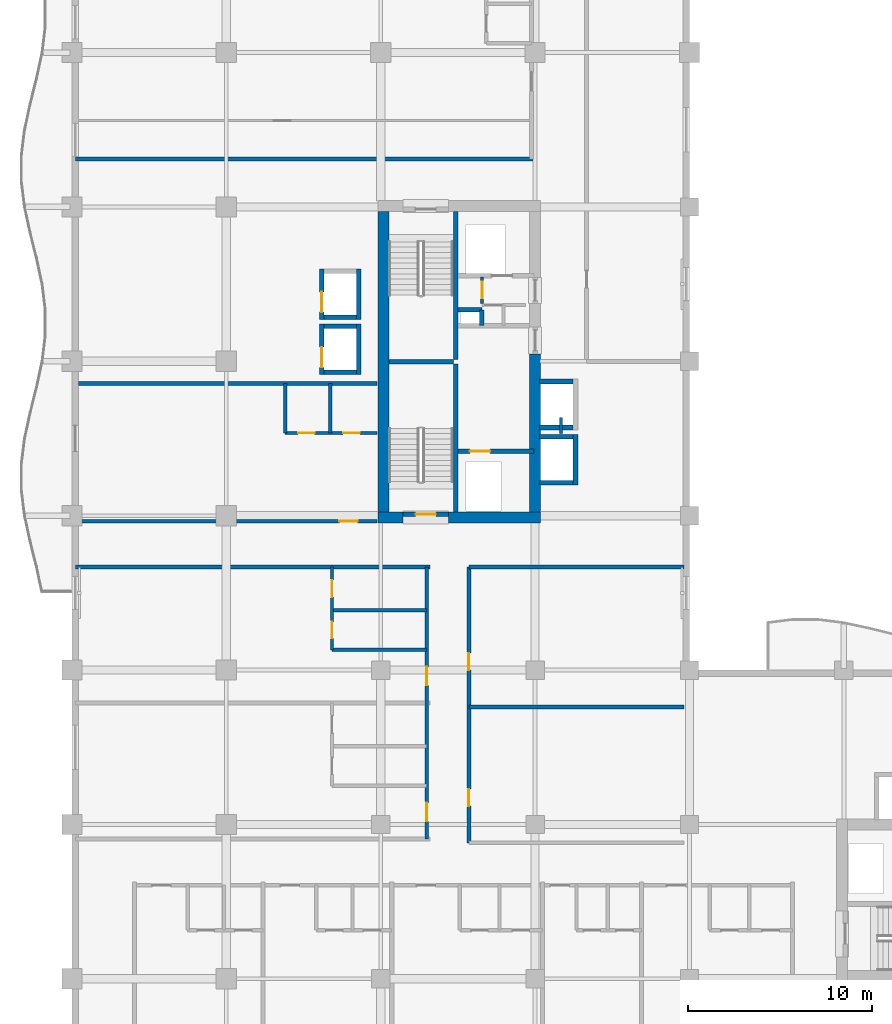
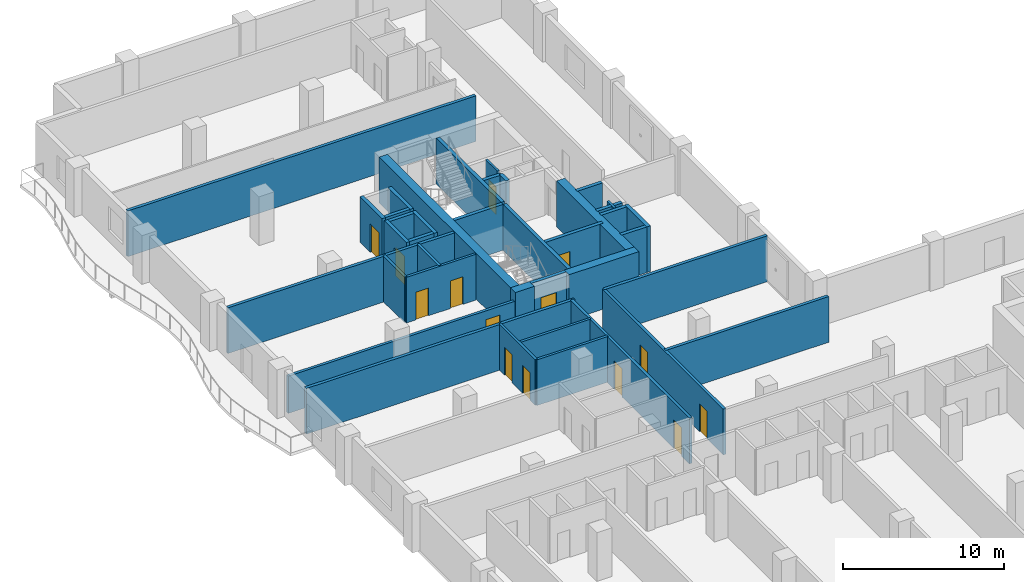
# One storey, part 7 of 15: 39 walls, 14 doors, 14 openings.
"""IFC4 building model written with IfcOpenShell, lengths in metres."""

from ifc_helpers import new_model, si_unit, direction, frame, frame_2d, origin, place, context, subcontext, project, spatial, rectangle, extrude, material, layer, layer_set, type_object, element, fill, save


model = new_model("IFC4")

# Units and contexts
model_context = context("Model", 3, precision=1e-05, world=origin(), true_north=direction((0.0, 1.0)))
body_context = subcontext(model_context, "Body", "Model", "MODEL_VIEW")
ifc_project = project(units=[si_unit("LENGTHUNIT", "METRE"), si_unit("AREAUNIT", "SQUARE_METRE"), si_unit("VOLUMEUNIT", "CUBIC_METRE"), si_unit("PLANEANGLEUNIT", "RADIAN"), si_unit("MASSUNIT", "GRAM", prefix="KILO")], contexts=[model_context])

# Site, building, storey
site_placement = place(None, origin())
site = spatial("IfcSite", under=ifc_project, at=site_placement, CompositionType="ELEMENT")
building_placement = place(site_placement, origin())
building = spatial("IfcBuilding", under=site, at=building_placement, Name="Koriwani Terraces Tower", CompositionType="ELEMENT")
storey_placement = place(building_placement, frame((0.0, 0.0, 193.89990234375)))
storey = spatial("IfcBuildingStorey", under=building, at=storey_placement, Name="L47", CompositionType="ELEMENT", Elevation=193.89990234375)

# Walls
ifc_material_1 = material(Name="Concrete C60/75", Category="concrete")
ifc_layer_1 = layer(ifc_material_1, 0.60009765625, Name="Concrete C60/75")
ifc_layer_set_1 = layer_set([ifc_layer_1], Name="Concrete C60/75")
wall_type_1 = type_object("IfcWallType", Name="WALL_CORE_RC_600", PredefinedType="SHEAR", material=ifc_layer_set_1)
wall_1_placement = place(storey_placement, frame((16.64990234375, 41.89990234375, 0.0), z_axis=(0.0, 0.0, 1.0), x_axis=(1.0, 0.0, 0.0)))
element("IfcWall", 1, at=wall_1_placement, inside=storey, type_object=wall_type_1, Name="L47 West Split Core Shear Wall S1", PredefinedType="SHEAR", context=body_context, shape_type="SweptSolid", body=[
    extrude(rectangle(XDim=1.35009765625, YDim=0.60009765625, at=frame_2d((0.675048828125, 0.0))), origin(), (0.0, 0.0, 1.0), 3.47021484375),
])
wall_2_placement = place(storey_placement, frame((20.5, 41.89990234375, 0.0), z_axis=(0.0, 0.0, 1.0), x_axis=(1.0, 0.0, 0.0)))
element("IfcWall", 2, at=wall_2_placement, inside=storey, type_object=wall_type_1, Name="L47 West Split Core Shear Wall S2", PredefinedType="SHEAR", context=body_context, shape_type="SweptSolid", body=[
    extrude(rectangle(XDim=5.0, YDim=0.60009765625, at=frame_2d((2.5, 0.0))), origin(), (0.0, 0.0, 1.0), 3.47021484375),
])
wall_3_placement = place(storey_placement, frame((16.949951171875, 42.199951171875, 0.0), z_axis=(0.0, 0.0, 1.0), x_axis=(0.0, 1.0, 0.0)))
element("IfcWall", 3, at=wall_3_placement, inside=storey, type_object=wall_type_1, Name="L47 West Split Core Shear Wall W1", PredefinedType="SHEAR", context=body_context, shape_type="SweptSolid", body=[
    extrude(rectangle(XDim=16.35009765625, YDim=0.60009765625, at=frame_2d((8.175048828125, 0.0))), origin(), (0.0, 0.0, 1.0), 3.47021484375),
])
wall_4_placement = place(storey_placement, frame((25.199951171875, 42.199951171875, 0.0), z_axis=(0.0, 0.0, 1.0), x_axis=(0.0, 1.0, 0.0)))
element("IfcWall", 4, at=wall_4_placement, inside=storey, type_object=wall_type_1, Name="L47 West Split Core Shear Wall E1", PredefinedType="SHEAR", context=body_context, shape_type="SweptSolid", body=[
    extrude(rectangle(XDim=8.60009765625, YDim=0.60009765625, at=frame_2d((4.300048828125, 0.0))), origin(), (0.0, 0.0, 1.0), 3.47021484375),
])

# Wall, opening, door
ifc_material_2 = material(Name="Autoclaved Cellular Concrete Blockwork", Category="masonry")
ifc_layer_2 = layer(ifc_material_2, 0.199951171875, Name="Autoclaved Cellular Concrete Blockwork")
ifc_layer_set_2 = layer_set([ifc_layer_2], Name="Autoclaved Cellular Concrete Blockwork")
wall_type_2 = type_object("IfcWallType", Name="WALL_CORRIDOR_200", PredefinedType="PARTITIONING", material=ifc_layer_set_2)
wall_5_placement = place(storey_placement, frame((0.35009765625, 41.699951171875, 0.0), z_axis=(0.0, 0.0, 1.0), x_axis=(1.0, 0.0, 0.0)))
wall_5 = element("IfcWall", 5, at=wall_5_placement, inside=storey, type_object=wall_type_2, Name="L47 Interior Wall WREC-WS-L47", PredefinedType="PARTITIONING", context=body_context, shape_type="SweptSolid", body=[
    extrude(rectangle(XDim=16.25, YDim=0.199951171875, at=frame_2d((8.125, 0.0))), origin(), (0.0, 0.0, 1.0), 2.820068359375),
])
opening_1_placement = place(wall_5_placement, frame((14.199951171875, 0.0, 0.0)))
opening_1 = element("IfcOpeningElement", 6, at=opening_1_placement, cuts=wall_5, Name="Opening D-05", PredefinedType="OPENING", context=body_context, shape_type="SweptSolid", body=[
    extrude(rectangle(XDim=1.0, YDim=2.14990234375, at=frame_2d((0.5, 1.074951171875))), frame((0.0, 0.10986328125, 0.0), z_axis=(0.0, -1.0, 0.0), x_axis=(1.0, 0.0, 0.0)), (0.0, 0.0, 1.0), 0.219970703125),
])
ifc_material_3 = material(Name="Architectural Oak Fire Door", Category="wood")
door_type_1 = type_object("IfcDoorType", Name="DOOR_SUITE_ENTRY_1000X2150", OperationType="NOTDEFINED", PredefinedType="DOOR", material=ifc_material_3)
door_1_placement = place(opening_1_placement, origin())
door_1 = element("IfcDoor", 7, at=door_1_placement, inside=storey, type_object=door_type_1, Name="L47 Reclaimed West Suite Door", OperationType="SINGLE_SWING_LEFT", OverallHeight=2.14990234375, OverallWidth=1.0, PredefinedType="DOOR", context=body_context, shape_type="SweptSolid", body=[
    extrude(rectangle(XDim=1.0, YDim=2.14990234375, at=frame_2d((0.5, 1.074951171875))), frame((0.0, 0.02490234375, 0.0), z_axis=(0.0, -1.0, 0.0), x_axis=(1.0, 0.0, 0.0)), (0.0, 0.0, 1.0), 0.050048828125),
])
fill(opening_1, door_1)

# Wall, openings, doors
wall_6_placement = place(storey_placement, frame((21.60009765625, 24.199951171875, 0.0), z_axis=(0.0, 0.0, 1.0), x_axis=(0.0, 1.0, 0.0)))
wall_6 = element("IfcWall", 8, at=wall_6_placement, inside=storey, type_object=wall_type_2, Name="L47 Interior Wall WIC2-W-L47", PredefinedType="PARTITIONING", context=body_context, shape_type="SweptSolid", body=[
    extrude(rectangle(XDim=15.0, YDim=0.199951171875, at=frame_2d((7.5, 0.0))), origin(), (0.0, 0.0, 1.0), 3.47021484375),
])
opening_2_placement = place(wall_6_placement, frame((2.0, 0.0, 0.0)))
opening_2 = element("IfcOpeningElement", 9, at=opening_2_placement, cuts=wall_6, Name="Opening D-06", PredefinedType="OPENING", context=body_context, shape_type="SweptSolid", body=[
    extrude(rectangle(XDim=0.919921875, YDim=2.10009765625, at=frame_2d((0.4599609375, 1.050048828125))), frame((0.0, 0.10986328125, 0.0), z_axis=(0.0, -1.0, 0.0), x_axis=(1.0, 0.0, 0.0)), (0.0, 0.0, 1.0), 0.219970703125),
])
opening_3_placement = place(wall_6_placement, frame((9.39990234375, 0.0, 0.0)))
opening_3 = element("IfcOpeningElement", 10, at=opening_3_placement, cuts=wall_6, Name="Opening D-06", PredefinedType="OPENING", context=body_context, shape_type="SweptSolid", body=[
    extrude(rectangle(XDim=0.919921875, YDim=2.10009765625, at=frame_2d((0.4599609375, 1.050048828125))), frame((0.0, 0.10986328125, 0.0), z_axis=(0.0, -1.0, 0.0), x_axis=(1.0, 0.0, 0.0)), (0.0, 0.0, 1.0), 0.219970703125),
])
door_type_2 = type_object("IfcDoorType", Name="DOOR_ROOM_INT_920X2100", OperationType="NOTDEFINED", PredefinedType="DOOR", material=ifc_material_3)
door_2_placement = place(opening_2_placement, origin())
door_2 = element("IfcDoor", 11, at=door_2_placement, inside=storey, type_object=door_type_2, Name="L47 Inner Court Salon Door", OperationType="SINGLE_SWING_LEFT", OverallHeight=2.10009765625, OverallWidth=0.919921875, PredefinedType="DOOR", context=body_context, shape_type="SweptSolid", body=[
    extrude(rectangle(XDim=0.919921875, YDim=2.10009765625, at=frame_2d((0.4599609375, 1.050048828125))), frame((0.0, 0.02490234375, 0.0), z_axis=(0.0, -1.0, 0.0), x_axis=(1.0, 0.0, 0.0)), (0.0, 0.0, 1.0), 0.050048828125),
])
fill(opening_2, door_2)
door_3_placement = place(opening_3_placement, origin())
door_3 = element("IfcDoor", 12, at=door_3_placement, inside=storey, type_object=door_type_2, Name="L47 Inner Court Media Room Door", OperationType="SINGLE_SWING_RIGHT", OverallHeight=2.10009765625, OverallWidth=0.919921875, PredefinedType="DOOR", context=body_context, shape_type="SweptSolid", body=[
    extrude(rectangle(XDim=0.919921875, YDim=2.10009765625, at=frame_2d((0.4599609375, 1.050048828125))), frame((0.0, 0.02490234375, 0.0), z_axis=(0.0, -1.0, 0.0), x_axis=(1.0, 0.0, 0.0)), (0.0, 0.0, 1.0), 0.050048828125),
])
fill(opening_3, door_3)

wall_7_placement = place(storey_placement, frame((19.300048828125, 24.39990234375, 0.0), z_axis=(0.0, 0.0, 1.0), x_axis=(0.0, 1.0, 0.0)))
wall_7 = element("IfcWall", 13, at=wall_7_placement, inside=storey, type_object=wall_type_2, Name="L47 Interior Wall WRCOR-L47-NW-0", PredefinedType="PARTITIONING", context=body_context, shape_type="SweptSolid", body=[
    extrude(rectangle(XDim=14.800048828125, YDim=0.199951171875, at=frame_2d((7.39990234375, 0.0))), origin(), (0.0, 0.0, 1.0), 3.47021484375),
])
opening_4_placement = place(wall_7_placement, frame((0.969970703125, 0.0, 0.0)))
opening_4 = element("IfcOpeningElement", 14, at=opening_4_placement, cuts=wall_7, Name="Opening D-05", PredefinedType="OPENING", context=body_context, shape_type="SweptSolid", body=[
    extrude(rectangle(XDim=1.0, YDim=2.14990234375, at=frame_2d((0.5, 1.074951171875))), frame((0.0, 0.10986328125, 0.0), z_axis=(0.0, -1.0, 0.0), x_axis=(1.0, 0.0, 0.0)), (0.0, 0.0, 1.0), 0.219970703125),
])
opening_5_placement = place(wall_7_placement, frame((8.3701171875, 0.0, 0.0)))
opening_5 = element("IfcOpeningElement", 15, at=opening_5_placement, cuts=wall_7, Name="Opening D-05", PredefinedType="OPENING", context=body_context, shape_type="SweptSolid", body=[
    extrude(rectangle(XDim=1.0, YDim=2.14990234375, at=frame_2d((0.5, 1.074951171875))), frame((0.0, 0.10986328125, 0.0), z_axis=(0.0, -1.0, 0.0), x_axis=(1.0, 0.0, 0.0)), (0.0, 0.0, 1.0), 0.219970703125),
])
door_4_placement = place(opening_4_placement, origin())
door_4 = element("IfcDoor", 16, at=door_4_placement, inside=storey, type_object=door_type_1, Name="Apartment 47NW1 Entrance Door", OperationType="SINGLE_SWING_RIGHT", OverallHeight=2.14990234375, OverallWidth=1.0, PredefinedType="DOOR", context=body_context, shape_type="SweptSolid", body=[
    extrude(rectangle(XDim=1.0, YDim=2.14990234375, at=frame_2d((0.5, 1.074951171875))), frame((0.0, 0.02490234375, 0.0), z_axis=(0.0, -1.0, 0.0), x_axis=(1.0, 0.0, 0.0)), (0.0, 0.0, 1.0), 0.050048828125),
])
fill(opening_4, door_4)
door_5_placement = place(opening_5_placement, origin())
door_5 = element("IfcDoor", 17, at=door_5_placement, inside=storey, type_object=door_type_1, Name="Apartment 47NW2 Entrance Door", OperationType="SINGLE_SWING_LEFT", OverallHeight=2.14990234375, OverallWidth=1.0, PredefinedType="DOOR", context=body_context, shape_type="SweptSolid", body=[
    extrude(rectangle(XDim=1.0, YDim=2.14990234375, at=frame_2d((0.5, 1.074951171875))), frame((0.0, 0.02490234375, 0.0), z_axis=(0.0, -1.0, 0.0), x_axis=(1.0, 0.0, 0.0)), (0.0, 0.0, 1.0), 0.050048828125),
])
fill(opening_5, door_5)

# Walls
ifc_layer_3 = layer(ifc_material_2, 0.219970703125, Name="Autoclaved Cellular Concrete Blockwork")
ifc_layer_set_3 = layer_set([ifc_layer_3], Name="Autoclaved Cellular Concrete Blockwork")
wall_type_3 = type_object("IfcWallType", Name="WALL_DEMISING_220", PredefinedType="PARTITIONING", material=ifc_layer_set_3)
wall_8_placement = place(storey_placement, frame((0.35009765625, 49.199951171875, 0.0), z_axis=(0.0, 0.0, 1.0), x_axis=(1.0, 0.0, 0.0)))
element("IfcWall", 18, at=wall_8_placement, inside=storey, type_object=wall_type_3, Name="L47 Interior Wall WREC-WN-L47", PredefinedType="PARTITIONING", context=body_context, shape_type="SweptSolid", body=[
    extrude(rectangle(XDim=16.25, YDim=0.219970703125, at=frame_2d((8.125, 0.0))), origin(), (0.0, 0.0, 1.0), 3.47021484375),
])
for number, where, z_axis, x_axis, name in (
    (19, (21.60009765625, 31.60009765625, 0.0), (0.0, 0.0, 1.0), (1.0, 0.0, 0.0), "L47 Interior Wall WIC2-M-L47"),
    (20, (21.60009765625, 39.199951171875, 0.0), (0.0, 0.0, 1.0), (1.0, 0.0, 0.0), "L47 Interior Wall WIC2-N-L47"),
):
    element("IfcWall", number, at=place(storey_placement, frame(where, z_axis=z_axis, x_axis=x_axis)), inside=storey, type_object=wall_type_3, Name=name, PredefinedType="PARTITIONING", context=body_context, shape_type="SweptSolid", body=[
        extrude(rectangle(XDim=11.699951171875, YDim=0.219970703125, at=frame_2d((5.85009765625, 0.0))), origin(), (0.0, 0.0, 1.0), 3.47021484375),
    ])
wall_9_placement = place(storey_placement, frame((0.199951171875, 39.199951171875, 0.0), z_axis=(0.0, 0.0, 1.0), x_axis=(1.0, 0.0, 0.0)))
element("IfcWall", 21, at=wall_9_placement, inside=storey, type_object=wall_type_3, Name="L47 Interior Wall WRDEME-L47-NW", PredefinedType="PARTITIONING", context=body_context, shape_type="SweptSolid", body=[
    extrude(rectangle(XDim=19.280029296875, YDim=0.219970703125, at=frame_2d((9.64013671875, 0.0))), origin(), (0.0, 0.0, 1.0), 3.47021484375),
])
wall_10_placement = place(storey_placement, frame((0.199951171875, 61.39990234375, 0.0), z_axis=(0.0, 0.0, 1.0), x_axis=(1.0, 0.0, 0.0)))
element("IfcWall", 22, at=wall_10_placement, inside=storey, type_object=wall_type_3, Name="L47 Interior Wall WRDEM-L47-NE-0", PredefinedType="PARTITIONING", context=body_context, shape_type="SweptSolid", body=[
    extrude(rectangle(XDim=24.97998046875, YDim=0.219970703125, at=frame_2d((12.489990234375, 0.0))), origin(), (0.0, 0.0, 1.0), 3.47021484375),
])

# Wall, openings, doors
ifc_material_4 = material(Name="Fire-Rated Acoustic Gypsum Partition", Category="masonry")
ifc_layer_4 = layer(ifc_material_4, 0.179931640625, Name="Fire-Rated Acoustic Gypsum Partition")
ifc_layer_set_4 = layer_set([ifc_layer_4], Name="Fire-Rated Acoustic Gypsum Partition")
wall_type_4 = type_object("IfcWallType", Name="WALL_PLUMBING_180", PredefinedType="PLUMBINGWALL", material=ifc_layer_set_4)
wall_11_placement = place(storey_placement, frame((11.60009765625, 46.5, 0.0), z_axis=(0.0, 0.0, 1.0), x_axis=(1.0, 0.0, 0.0)))
wall_11 = element("IfcWall", 23, at=wall_11_placement, inside=storey, type_object=wall_type_4, Name="L47 Interior Wall WREC-WBB-L47", PredefinedType="PLUMBINGWALL", context=body_context, shape_type="SweptSolid", body=[
    extrude(rectangle(XDim=5.0, YDim=0.179931640625, at=frame_2d((2.5, 0.0))), origin(), (0.0, 0.0, 1.0), 3.47021484375),
])
opening_6_placement = place(wall_11_placement, frame((0.699951171875, 0.0, 0.0)))
opening_6 = element("IfcOpeningElement", 24, at=opening_6_placement, cuts=wall_11, Name="Opening D-07", PredefinedType="OPENING", context=body_context, shape_type="SweptSolid", body=[
    extrude(rectangle(XDim=0.89990234375, YDim=2.10009765625, at=frame_2d((0.449951171875, 1.050048828125))), frame((0.0, 0.10009765625, 0.0), z_axis=(0.0, -1.0, 0.0), x_axis=(1.0, 0.0, 0.0)), (0.0, 0.0, 1.0), 0.199951171875),
])
opening_7_placement = place(wall_11_placement, frame((3.14990234375, 0.0, 0.0)))
opening_7 = element("IfcOpeningElement", 25, at=opening_7_placement, cuts=wall_11, Name="Opening D-06", PredefinedType="OPENING", context=body_context, shape_type="SweptSolid", body=[
    extrude(rectangle(XDim=0.919921875, YDim=2.10009765625, at=frame_2d((0.4599609375, 1.050048828125))), frame((0.0, 0.10009765625, 0.0), z_axis=(0.0, -1.0, 0.0), x_axis=(1.0, 0.0, 0.0)), (0.0, 0.0, 1.0), 0.199951171875),
])
door_type_3 = type_object("IfcDoorType", Name="DOOR_BATH_INT_900X2100", OperationType="NOTDEFINED", PredefinedType="DOOR", material=ifc_material_3)
door_6_placement = place(opening_6_placement, origin())
door_6 = element("IfcDoor", 26, at=door_6_placement, inside=storey, type_object=door_type_3, Name="Apartment 47RW Bathroom Door", OperationType="SINGLE_SWING_RIGHT", OverallHeight=2.10009765625, OverallWidth=0.89990234375, PredefinedType="DOOR", context=body_context, shape_type="SweptSolid", body=[
    extrude(rectangle(XDim=0.89990234375, YDim=2.10009765625, at=frame_2d((0.449951171875, 1.050048828125))), frame((0.0, 0.02490234375, 0.0), z_axis=(0.0, -1.0, 0.0), x_axis=(1.0, 0.0, 0.0)), (0.0, 0.0, 1.0), 0.050048828125),
])
fill(opening_6, door_6)
door_7_placement = place(opening_7_placement, origin())
door_7 = element("IfcDoor", 27, at=door_7_placement, inside=storey, type_object=door_type_2, Name="Apartment 47RW Kitchen Door", OperationType="SINGLE_SWING_LEFT", OverallHeight=2.10009765625, OverallWidth=0.919921875, PredefinedType="DOOR", context=body_context, shape_type="SweptSolid", body=[
    extrude(rectangle(XDim=0.919921875, YDim=2.10009765625, at=frame_2d((0.4599609375, 1.050048828125))), frame((0.0, 0.02490234375, 0.0), z_axis=(0.0, -1.0, 0.0), x_axis=(1.0, 0.0, 0.0)), (0.0, 0.0, 1.0), 0.050048828125),
])
fill(opening_7, door_7)

# Walls
for number, where, z_axis, x_axis, name in (
    (28, (11.60009765625, 46.5, 0.0), (0.0, 0.0, 1.0), (0.0, 1.0, 0.0), "L47 Interior Wall WREC-WB2-L47"),
    (29, (14.050048828125, 46.5, 0.0), (0.0, 0.0, 1.0), (0.0, 1.0, 0.0), "L47 Interior Wall WREC-WB3-L47"),
):
    element("IfcWall", number, at=place(storey_placement, frame(where, z_axis=z_axis, x_axis=x_axis)), inside=storey, type_object=wall_type_4, Name=name, PredefinedType="PLUMBINGWALL", context=body_context, shape_type="SweptSolid", body=[
        extrude(rectangle(XDim=2.699951171875, YDim=0.179931640625, at=frame_2d((1.35009765625, 0.0))), origin(), (0.0, 0.0, 1.0), 3.47021484375),
    ])

# Wall, openings, doors
wall_12_placement = place(storey_placement, frame((14.14990234375, 34.699951171875, 0.0), z_axis=(0.0, 0.0, 1.0), x_axis=(0.0, 1.0, 0.0)))
wall_12 = element("IfcWall", 30, at=wall_12_placement, inside=storey, type_object=wall_type_4, Name="L47 Interior Wall WRSVC-L47-NW-1", PredefinedType="PLUMBINGWALL", context=body_context, shape_type="SweptSolid", body=[
    extrude(rectangle(XDim=4.5, YDim=0.179931640625, at=frame_2d((2.25, 0.0))), origin(), (0.0, 0.0, 1.0), 3.47021484375),
])
opening_8_placement = place(wall_12_placement, frame((0.6298828125, 0.0, 0.0)))
opening_8 = element("IfcOpeningElement", 31, at=opening_8_placement, cuts=wall_12, Name="Opening D-07", PredefinedType="OPENING", context=body_context, shape_type="SweptSolid", body=[
    extrude(rectangle(XDim=0.89990234375, YDim=2.10009765625, at=frame_2d((0.449951171875, 1.050048828125))), frame((0.0, 0.10009765625, 0.0), z_axis=(0.0, -1.0, 0.0), x_axis=(1.0, 0.0, 0.0)), (0.0, 0.0, 1.0), 0.199951171875),
])
opening_9_placement = place(wall_12_placement, frame((2.8701171875, 0.0, 0.0)))
opening_9 = element("IfcOpeningElement", 32, at=opening_9_placement, cuts=wall_12, Name="Opening D-06", PredefinedType="OPENING", context=body_context, shape_type="SweptSolid", body=[
    extrude(rectangle(XDim=0.919921875, YDim=2.10009765625, at=frame_2d((0.4599609375, 1.050048828125))), frame((0.0, 0.10009765625, 0.0), z_axis=(0.0, -1.0, 0.0), x_axis=(1.0, 0.0, 0.0)), (0.0, 0.0, 1.0), 0.199951171875),
])
door_8_placement = place(opening_8_placement, origin())
door_8 = element("IfcDoor", 33, at=door_8_placement, inside=storey, type_object=door_type_3, Name="Apartment 47NW2 Bathroom Door", OperationType="SINGLE_SWING_RIGHT", OverallHeight=2.10009765625, OverallWidth=0.89990234375, PredefinedType="DOOR", context=body_context, shape_type="SweptSolid", body=[
    extrude(rectangle(XDim=0.89990234375, YDim=2.10009765625, at=frame_2d((0.449951171875, 1.050048828125))), frame((0.0, 0.02490234375, 0.0), z_axis=(0.0, -1.0, 0.0), x_axis=(1.0, 0.0, 0.0)), (0.0, 0.0, 1.0), 0.050048828125),
])
fill(opening_8, door_8)
door_9_placement = place(opening_9_placement, origin())
door_9 = element("IfcDoor", 34, at=door_9_placement, inside=storey, type_object=door_type_2, Name="Apartment 47NW2 Kitchen Door", OperationType="SINGLE_SWING_LEFT", OverallHeight=2.10009765625, OverallWidth=0.919921875, PredefinedType="DOOR", context=body_context, shape_type="SweptSolid", body=[
    extrude(rectangle(XDim=0.919921875, YDim=2.10009765625, at=frame_2d((0.4599609375, 1.050048828125))), frame((0.0, 0.02490234375, 0.0), z_axis=(0.0, -1.0, 0.0), x_axis=(1.0, 0.0, 0.0)), (0.0, 0.0, 1.0), 0.050048828125),
])
fill(opening_9, door_9)

# Walls
for number, where, z_axis, x_axis, name in (
    (35, (14.14990234375, 34.699951171875, 0.0), (0.0, 0.0, 1.0), (1.0, 0.0, 0.0), "L47 Interior Wall WRSVCS-L47-NW-1"),
    (36, (14.14990234375, 36.860107421875, 0.0), (0.0, 0.0, 1.0), (1.0, 0.0, 0.0), "L47 Interior Wall WRSVCM-L47-NW-1"),
):
    element("IfcWall", number, at=place(storey_placement, frame(where, z_axis=z_axis, x_axis=x_axis)), inside=storey, type_object=wall_type_4, Name=name, PredefinedType="PLUMBINGWALL", context=body_context, shape_type="SweptSolid", body=[
        extrude(rectangle(XDim=5.150146484375, YDim=0.179931640625, at=frame_2d((2.5751953125, 0.0))), origin(), (0.0, 0.0, 1.0), 3.47021484375),
    ])
ifc_material_5 = material(Name="Concrete C40/50", Category="concrete")
ifc_layer_5 = layer(ifc_material_5, 0.25, Name="Concrete C40/50")
ifc_layer_set_5 = layer_set([ifc_layer_5], Name="Concrete C40/50")
wall_type_5 = type_object("IfcWallType", Name="WALL_SHAFT_RATED_250", PredefinedType="SOLIDWALL", material=ifc_layer_set_5)
for number, where, z_axis, x_axis, name in (
    (37, (20.875, 42.199951171875, 0.0), (0.0, 0.0, 1.0), (0.0, 1.0, 0.0), "L47 West Split Core Web Wall MID1"),
    (38, (20.875, 50.5, 0.0), (0.0, 0.0, 1.0), (0.0, 1.0, 0.0), "L47 West Split Core Web Wall MID2"),
):
    element("IfcWall", number, at=place(storey_placement, frame(where, z_axis=z_axis, x_axis=x_axis)), inside=storey, type_object=wall_type_5, Name=name, PredefinedType="SOLIDWALL", context=body_context, shape_type="SweptSolid", body=[
        extrude(rectangle(XDim=8.050048828125, YDim=0.25, at=frame_2d((4.02490234375, 0.0))), origin(), (0.0, 0.0, 1.0), 3.47021484375),
    ])
wall_13_placement = place(storey_placement, frame((17.25, 50.375, 0.0), z_axis=(0.0, 0.0, 1.0), x_axis=(1.0, 0.0, 0.0)))
element("IfcWall", 39, at=wall_13_placement, inside=storey, type_object=wall_type_5, Name="L47 West Split Core Stair Dividing Wall", PredefinedType="SOLIDWALL", context=body_context, shape_type="SweptSolid", body=[
    extrude(rectangle(XDim=3.5, YDim=0.25, at=frame_2d((1.75, 0.0))), origin(), (0.0, 0.0, 1.0), 3.47021484375),
])

# Wall, opening, door
wall_14_placement = place(storey_placement, frame((18.0, 42.074951171875, 0.0), z_axis=(0.0, 0.0, 1.0), x_axis=(1.0, 0.0, 0.0)))
wall_14 = element("IfcWall", 40, at=wall_14_placement, inside=storey, type_object=wall_type_5, Name="L47 Interior Wall WIN-CW-L47-STS", PredefinedType="SOLIDWALL", context=body_context, shape_type="SweptSolid", body=[
    extrude(rectangle(XDim=2.5, YDim=0.25, at=frame_2d((1.25, 0.0))), origin(), (0.0, 0.0, 1.0), 3.47021484375),
])
opening_10_placement = place(wall_14_placement, frame((0.699951171875, 0.0, 0.0)))
opening_10 = element("IfcOpeningElement", 41, at=opening_10_placement, cuts=wall_14, Name="Opening D-03", PredefinedType="OPENING", context=body_context, shape_type="SweptSolid", body=[
    extrude(rectangle(XDim=1.10009765625, YDim=2.14990234375, at=frame_2d((0.550048828125, 1.074951171875))), frame((0.0, 0.135009765625, 0.0), z_axis=(0.0, -1.0, 0.0), x_axis=(1.0, 0.0, 0.0)), (0.0, 0.0, 1.0), 0.27001953125),
])
ifc_material_6 = material(Name="Steel ASTM A572 Grade 50", Category="steel")
door_type_4 = type_object("IfcDoorType", Name="DOOR_STAIR_FIRE_1100X2150", OperationType="NOTDEFINED", PredefinedType="DOOR", material=ifc_material_6)
door_10_placement = place(opening_10_placement, origin())
door_10 = element("IfcDoor", 42, at=door_10_placement, inside=storey, type_object=door_type_4, Name="L47 Exit Stair ST-W1 Door", OperationType="SINGLE_SWING_LEFT", OverallHeight=2.14990234375, OverallWidth=1.10009765625, PredefinedType="DOOR", context=body_context, shape_type="SweptSolid", body=[
    extrude(rectangle(XDim=1.10009765625, YDim=2.14990234375, at=frame_2d((0.550048828125, 1.074951171875))), frame((0.0, 0.02490234375, 0.0), z_axis=(0.0, -1.0, 0.0), x_axis=(1.0, 0.0, 0.0)), (0.0, 0.0, 1.0), 0.050048828125),
])
fill(opening_10, door_10)

wall_15_placement = place(storey_placement, frame((21.0, 45.5, 0.0), z_axis=(0.0, 0.0, 1.0), x_axis=(1.0, 0.0, 0.0)))
wall_15 = element("IfcWall", 43, at=wall_15_placement, inside=storey, type_object=wall_type_5, Name="L47 Interior Wall WIN-CW-L47-FE", PredefinedType="SOLIDWALL", context=body_context, shape_type="SweptSolid", body=[
    extrude(rectangle(XDim=4.14990234375, YDim=0.25, at=frame_2d((2.074951171875, 0.0))), origin(), (0.0, 0.0, 1.0), 3.47021484375),
])
opening_11_placement = place(wall_15_placement, frame((0.64990234375, 0.0, 0.0)))
opening_11 = element("IfcOpeningElement", 44, at=opening_11_placement, cuts=wall_15, Name="Opening LD-01", PredefinedType="OPENING", context=body_context, shape_type="SweptSolid", body=[
    extrude(rectangle(XDim=1.10009765625, YDim=2.14990234375, at=frame_2d((0.550048828125, 1.074951171875))), frame((0.0, 0.135009765625, 0.0), z_axis=(0.0, -1.0, 0.0), x_axis=(1.0, 0.0, 0.0)), (0.0, 0.0, 1.0), 0.27001953125),
])
door_type_5 = type_object("IfcDoorType", Name="DOOR_LIFT_LANDING_1100X2200", OperationType="NOTDEFINED", PredefinedType="DOOR", material=ifc_material_6)
door_11_placement = place(opening_11_placement, origin())
door_11 = element("IfcDoor", 45, at=door_11_placement, inside=storey, type_object=door_type_5, Name="L47 Firefighting Lift FE-01 Landing Door", OperationType="SLIDING_TO_LEFT", OverallHeight=2.14990234375, OverallWidth=1.10009765625, PredefinedType="DOOR", context=body_context, shape_type="SweptSolid", body=[
    extrude(rectangle(XDim=1.10009765625, YDim=2.14990234375, at=frame_2d((0.550048828125, 1.074951171875))), frame((0.0, 0.02490234375, 0.0), z_axis=(0.0, -1.0, 0.0), x_axis=(1.0, 0.0, 0.0)), (0.0, 0.0, 1.0), 0.050048828125),
])
fill(opening_11, door_11)

# Walls
wall_16_placement = place(storey_placement, frame((21.0, 53.199951171875, 0.0), z_axis=(0.0, 0.0, 1.0), x_axis=(1.0, 0.0, 0.0)))
element("IfcWall", 46, at=wall_16_placement, inside=storey, type_object=wall_type_5, Name="L47 Interior Wall WIN-CW-L47-RS1", PredefinedType="SOLIDWALL", context=body_context, shape_type="SweptSolid", body=[
    extrude(rectangle(XDim=1.300048828125, YDim=0.25, at=frame_2d((0.64990234375, 0.0))), origin(), (0.0, 0.0, 1.0), 3.47021484375),
])
wall_17_placement = place(storey_placement, frame((22.300048828125, 52.360107421875, 0.0), z_axis=(0.0, 0.0, 1.0), x_axis=(0.0, 1.0, 0.0)))
element("IfcWall", 47, at=wall_17_placement, inside=storey, type_object=wall_type_5, Name="L47 Interior Wall WIN-CW-L47-RS2", PredefinedType="SOLIDWALL", context=body_context, shape_type="SweptSolid", body=[
    extrude(rectangle(XDim=0.83984375, YDim=0.25, at=frame_2d((0.419921875, 0.0))), origin(), (0.0, 0.0, 1.0), 3.47021484375),
])

# Wall, opening, door
wall_18_placement = place(storey_placement, frame((13.60009765625, 49.675048828125, 0.0), z_axis=(0.0, 0.0, 1.0), x_axis=(0.0, 1.0, 0.0)))
wall_18 = element("IfcWall", 48, at=wall_18_placement, inside=storey, type_object=wall_type_5, Name="L47 Interior Wall WIN-LF-PE-M1-L47-F", PredefinedType="SOLIDWALL", context=body_context, shape_type="SweptSolid", body=[
    extrude(rectangle(XDim=2.75, YDim=0.25, at=frame_2d((1.375, 0.0))), origin(), (0.0, 0.0, 1.0), 3.47021484375),
])
opening_12_placement = place(wall_18_placement, frame((0.39990234375, 0.0, 0.0)))
opening_12 = element("IfcOpeningElement", 49, at=opening_12_placement, cuts=wall_18, Name="Opening LD-01", PredefinedType="OPENING", context=body_context, shape_type="SweptSolid", body=[
    extrude(rectangle(XDim=1.10009765625, YDim=2.14990234375, at=frame_2d((0.550048828125, 1.074951171875))), frame((0.0, 0.135009765625, 0.0), z_axis=(0.0, -1.0, 0.0), x_axis=(1.0, 0.0, 0.0)), (0.0, 0.0, 1.0), 0.27001953125),
])
door_12_placement = place(opening_12_placement, origin())
door_12 = element("IfcDoor", 50, at=door_12_placement, inside=storey, type_object=door_type_5, Name="L47 Passenger Lift PE-M1 Landing Door", OperationType="SLIDING_TO_LEFT", OverallHeight=2.14990234375, OverallWidth=1.10009765625, PredefinedType="DOOR", context=body_context, shape_type="SweptSolid", body=[
    extrude(rectangle(XDim=1.10009765625, YDim=2.14990234375, at=frame_2d((0.550048828125, 1.074951171875))), frame((0.0, 0.02490234375, 0.0), z_axis=(0.0, -1.0, 0.0), x_axis=(1.0, 0.0, 0.0)), (0.0, 0.0, 1.0), 0.050048828125),
])
fill(opening_12, door_12)

# Walls
wall_19_placement = place(storey_placement, frame((15.60009765625, 49.675048828125, 0.0), z_axis=(0.0, 0.0, 1.0), x_axis=(0.0, 1.0, 0.0)))
element("IfcWall", 51, at=wall_19_placement, inside=storey, type_object=wall_type_5, Name="L47 Interior Wall WIN-LF-PE-M1-L47-B", PredefinedType="SOLIDWALL", context=body_context, shape_type="SweptSolid", body=[
    extrude(rectangle(XDim=2.75, YDim=0.25, at=frame_2d((1.375, 0.0))), origin(), (0.0, 0.0, 1.0), 3.47021484375),
])
for number, where, z_axis, x_axis, name in (
    (52, (13.72509765625, 49.800048828125, 0.0), (0.0, 0.0, 1.0), (1.0, 0.0, 0.0), "L47 Interior Wall WIN-LF-PE-M1-L47-S"),
    (53, (13.72509765625, 52.300048828125, 0.0), (0.0, 0.0, 1.0), (1.0, 0.0, 0.0), "L47 Interior Wall WIN-LF-PE-M1-L47-N"),
):
    element("IfcWall", number, at=place(storey_placement, frame(where, z_axis=z_axis, x_axis=x_axis)), inside=storey, type_object=wall_type_5, Name=name, PredefinedType="SOLIDWALL", context=body_context, shape_type="SweptSolid", body=[
        extrude(rectangle(XDim=1.75, YDim=0.25, at=frame_2d((0.875, 0.0))), origin(), (0.0, 0.0, 1.0), 3.47021484375),
    ])

# Wall, opening, door
wall_20_placement = place(storey_placement, frame((13.60009765625, 52.675048828125, 0.0), z_axis=(0.0, 0.0, 1.0), x_axis=(0.0, 1.0, 0.0)))
wall_20 = element("IfcWall", 54, at=wall_20_placement, inside=storey, type_object=wall_type_5, Name="L47 Interior Wall WIN-LF-PE-M2-L47-F", PredefinedType="SOLIDWALL", context=body_context, shape_type="SweptSolid", body=[
    extrude(rectangle(XDim=2.75, YDim=0.25, at=frame_2d((1.375, 0.0))), origin(), (0.0, 0.0, 1.0), 3.47021484375),
])
opening_13_placement = place(wall_20_placement, frame((0.39990234375, 0.0, 0.0)))
opening_13 = element("IfcOpeningElement", 55, at=opening_13_placement, cuts=wall_20, Name="Opening LD-01", PredefinedType="OPENING", context=body_context, shape_type="SweptSolid", body=[
    extrude(rectangle(XDim=1.10009765625, YDim=2.14990234375, at=frame_2d((0.550048828125, 1.074951171875))), frame((0.0, 0.135009765625, 0.0), z_axis=(0.0, -1.0, 0.0), x_axis=(1.0, 0.0, 0.0)), (0.0, 0.0, 1.0), 0.27001953125),
])
door_13_placement = place(opening_13_placement, origin())
door_13 = element("IfcDoor", 56, at=door_13_placement, inside=storey, type_object=door_type_5, Name="L47 Passenger Lift PE-M2 Landing Door", OperationType="SLIDING_TO_LEFT", OverallHeight=2.14990234375, OverallWidth=1.10009765625, PredefinedType="DOOR", context=body_context, shape_type="SweptSolid", body=[
    extrude(rectangle(XDim=1.10009765625, YDim=2.14990234375, at=frame_2d((0.550048828125, 1.074951171875))), frame((0.0, 0.02490234375, 0.0), z_axis=(0.0, -1.0, 0.0), x_axis=(1.0, 0.0, 0.0)), (0.0, 0.0, 1.0), 0.050048828125),
])
fill(opening_13, door_13)

# Walls
wall_21_placement = place(storey_placement, frame((15.60009765625, 52.675048828125, 0.0), z_axis=(0.0, 0.0, 1.0), x_axis=(0.0, 1.0, 0.0)))
element("IfcWall", 57, at=wall_21_placement, inside=storey, type_object=wall_type_5, Name="L47 Interior Wall WIN-LF-PE-M2-L47-B", PredefinedType="SOLIDWALL", context=body_context, shape_type="SweptSolid", body=[
    extrude(rectangle(XDim=2.75, YDim=0.25, at=frame_2d((1.375, 0.0))), origin(), (0.0, 0.0, 1.0), 3.47021484375),
])
wall_22_placement = place(storey_placement, frame((13.72509765625, 52.800048828125, 0.0), z_axis=(0.0, 0.0, 1.0), x_axis=(1.0, 0.0, 0.0)))
element("IfcWall", 58, at=wall_22_placement, inside=storey, type_object=wall_type_5, Name="L47 Interior Wall WIN-LF-PE-M2-L47-S", PredefinedType="SOLIDWALL", context=body_context, shape_type="SweptSolid", body=[
    extrude(rectangle(XDim=1.75, YDim=0.25, at=frame_2d((0.875, 0.0))), origin(), (0.0, 0.0, 1.0), 3.47021484375),
])
wall_23_placement = place(storey_placement, frame((27.39990234375, 43.675048828125, 0.0), z_axis=(0.0, 0.0, 1.0), x_axis=(0.0, 1.0, 0.0)))
element("IfcWall", 59, at=wall_23_placement, inside=storey, type_object=wall_type_5, Name="L47 Interior Wall WIN-LF-PE-H1-L47-F", PredefinedType="SOLIDWALL", context=body_context, shape_type="SweptSolid", body=[
    extrude(rectangle(XDim=2.75, YDim=0.25, at=frame_2d((1.375, 0.0))), origin(), (0.0, 0.0, 1.0), 3.47021484375),
])
for number, where, z_axis, x_axis, name in (
    (60, (25.449951171875, 43.800048828125, 0.0), (0.0, 0.0, 1.0), (1.0, 0.0, 0.0), "L47 Interior Wall WIN-LF-PE-H1-L47-S"),
    (61, (25.449951171875, 46.300048828125, 0.0), (0.0, 0.0, 1.0), (1.0, 0.0, 0.0), "L47 Interior Wall WIN-LF-PE-H1-L47-N"),
    (62, (25.449951171875, 46.800048828125, 0.0), (0.0, 0.0, 1.0), (1.0, 0.0, 0.0), "L47 Interior Wall WIN-LF-PE-H2-L47-S"),
    (63, (25.449951171875, 49.300048828125, 0.0), (0.0, 0.0, 1.0), (1.0, 0.0, 0.0), "L47 Interior Wall WIN-LF-PE-H2-L47-N"),
):
    element("IfcWall", number, at=place(storey_placement, frame(where, z_axis=z_axis, x_axis=x_axis)), inside=storey, type_object=wall_type_5, Name=name, PredefinedType="SOLIDWALL", context=body_context, shape_type="SweptSolid", body=[
        extrude(rectangle(XDim=1.824951171875, YDim=0.25, at=frame_2d((0.91259765625, 0.0))), origin(), (0.0, 0.0, 1.0), 3.47021484375),
    ])

# Wall, opening, door
ifc_layer_6 = layer(ifc_material_4, 0.159912109375, Name="Fire-Rated Acoustic Gypsum Partition")
ifc_layer_set_6 = layer_set([ifc_layer_6], Name="Fire-Rated Acoustic Gypsum Partition")
wall_type_6 = type_object("IfcWallType", Name="WALL_SUITE_160", PredefinedType="PARTITIONING", material=ifc_layer_set_6)
wall_24_placement = place(storey_placement, frame((22.320068359375, 53.56005859375, 0.0), z_axis=(0.0, 0.0, 1.0), x_axis=(0.0, 1.0, 0.0)))
wall_24 = element("IfcWall", 64, at=wall_24_placement, inside=storey, type_object=wall_type_6, Name="L47 Interior Wall WIN-CW-L47-SV2A", PredefinedType="PARTITIONING", context=body_context, shape_type="SweptSolid", body=[
    extrude(rectangle(XDim=1.43994140625, YDim=0.159912109375, at=frame_2d((0.719970703125, 0.0))), origin(), (0.0, 0.0, 1.0), 3.47021484375),
])
opening_14_placement = place(wall_24_placement, frame((0.260009765625, 0.0, 0.0)))
opening_14 = element("IfcOpeningElement", 65, at=opening_14_placement, cuts=wall_24, Name="Opening D-07", PredefinedType="OPENING", context=body_context, shape_type="SweptSolid", body=[
    extrude(rectangle(XDim=0.89990234375, YDim=2.10009765625, at=frame_2d((0.449951171875, 1.050048828125))), frame((0.0, 0.08984375, 0.0), z_axis=(0.0, -1.0, 0.0), x_axis=(1.0, 0.0, 0.0)), (0.0, 0.0, 1.0), 0.179931640625),
])
door_14_placement = place(opening_14_placement, origin())
door_14 = element("IfcDoor", 66, at=door_14_placement, inside=storey, type_object=door_type_3, Name="L47 West Meter Room Door", OperationType="SINGLE_SWING_LEFT", OverallHeight=2.10009765625, OverallWidth=0.89990234375, PredefinedType="DOOR", context=body_context, shape_type="SweptSolid", body=[
    extrude(rectangle(XDim=0.89990234375, YDim=2.10009765625, at=frame_2d((0.449951171875, 1.050048828125))), frame((0.0, 0.02490234375, 0.0), z_axis=(0.0, -1.0, 0.0), x_axis=(1.0, 0.0, 0.0)), (0.0, 0.0, 1.0), 0.050048828125),
])
fill(opening_14, door_14)

# Wall
wall_25_placement = place(storey_placement, frame((26.60009765625, 46.4599609375, 0.0), z_axis=(0.0, 0.0, 1.0), x_axis=(0.0, 1.0, 0.0)))
element("IfcWall", 67, at=wall_25_placement, inside=storey, type_object=wall_type_6, Name="L47 Interior Wall WIN-LF-PEH12-MID-L47", PredefinedType="PARTITIONING", context=body_context, shape_type="SweptSolid", body=[
    extrude(rectangle(XDim=0.880126953125, YDim=0.159912109375, at=frame_2d((0.43994140625, 0.0))), origin(), (0.0, 0.0, 1.0), 3.47021484375),
])

save(model, "model.ifc")
